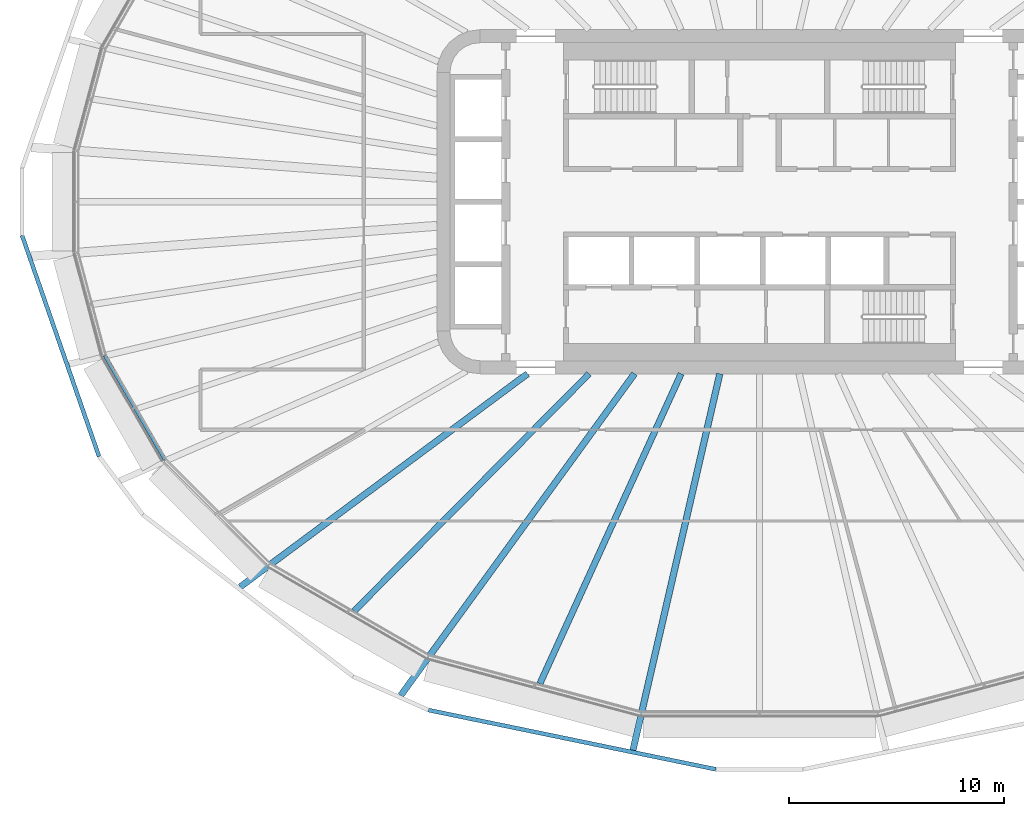
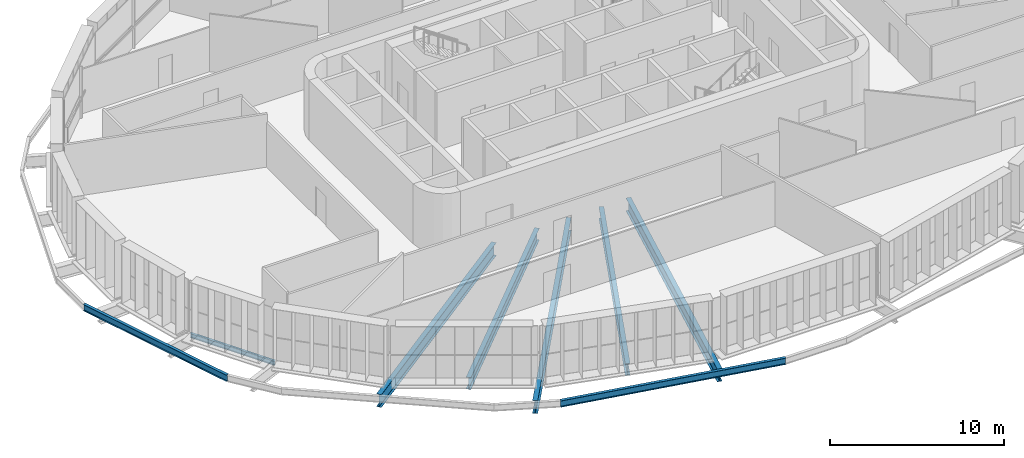
# One storey, part 2 of 24: 8 beams.
"""IFC4 building model written with IfcOpenShell, lengths in metres."""

from ifc_helpers import new_model, si_unit, direction, frame, origin, origin_2d, place, context, subcontext, project, spatial, i_section, extrude, material, material_profile, profile_set, type_object, element, save


model = new_model("IFC4")

# Units and contexts
model_context = context("Model", 3, precision=1e-05, world=origin(), true_north=direction((0.0, 1.0)))
body_context = subcontext(model_context, "Body", "Model", "MODEL_VIEW")
ifc_project = project(units=[si_unit("LENGTHUNIT", "METRE"), si_unit("AREAUNIT", "SQUARE_METRE"), si_unit("VOLUMEUNIT", "CUBIC_METRE"), si_unit("PLANEANGLEUNIT", "RADIAN"), si_unit("MASSUNIT", "GRAM", prefix="KILO")], contexts=[model_context])

# Site, building, storey
site_placement = place(None, origin())
site = spatial("IfcSite", under=ifc_project, at=site_placement, CompositionType="ELEMENT")
building_placement = place(site_placement, origin())
building = spatial("IfcBuilding", under=site, at=building_placement, Name="Sahrelin Media Tower", CompositionType="ELEMENT")
storey_placement = place(building_placement, frame((0.0, 0.0, 118.800048828125)))
storey = spatial("IfcBuildingStorey", under=building, at=storey_placement, Name="L23", CompositionType="ELEMENT", Elevation=118.800048828125)

# Beams
ifc_material = material(Name="Steel S355", Category="steel")
ifc_material_profile_1 = material_profile(ifc_material, i_section(OverallWidth=0.1650390625, OverallDepth=0.303466796875, WebThickness=0.006103515625, FlangeThickness=0.01025390625, FilletRadius=0.0087890625, at=origin_2d()), Name="UB 305x165x40")
ifc_profile_set_1 = profile_set([ifc_material_profile_1], Name="Steel S355")
beam_type_1 = type_object("IfcBeamType", Name="Edge beam EB2", PredefinedType="BEAM", material=ifc_profile_set_1)
beam_1_placement = place(storey_placement, frame((-27.644287109375, -12.000732421875, -0.3017578125), z_axis=(-0.500039387122, 0.866002662425, 0.0), x_axis=(-0.866002662425, -0.500039387122, 0.0)))
element("IfcBeam", 1, at=beam_1_placement, inside=storey, type_object=beam_type_1, Name="Edge beam L23-11", PredefinedType="BEAM", context=body_context, shape_type="SweptSolid", body=[
    extrude(i_section(OverallWidth=0.1650390625, OverallDepth=0.303466796875, WebThickness=0.006103515625, FlangeThickness=0.01025390625, FilletRadius=0.0087890625, at=origin_2d()), origin(), (0.0, 0.0, 1.0), 5.60107421875),
])
ifc_material_profile_2 = material_profile(ifc_material, i_section(OverallWidth=0.30322265625, OverallDepth=0.903076171875, WebThickness=0.01513671875, FlangeThickness=0.020263671875, FilletRadius=0.01904296875, at=origin_2d()), Name="UB 914x305x201")
ifc_profile_set_2 = profile_set([ifc_material_profile_2], Name="Steel S355")
beam_type_2 = type_object("IfcBeamType", Name="Radial primary beam PB11", PredefinedType="BEAM", material=ifc_profile_set_2)
beam_2_placement = place(storey_placement, frame((-10.785888671875, -8.0, -0.6015625), z_axis=(-0.803181335478, -0.59573462409, 0.0), x_axis=(0.59573462409, -0.803181335478, 0.0)))
element("IfcBeam", 2, at=beam_2_placement, inside=storey, type_object=beam_type_2, Name="Radial beam L23-16", PredefinedType="BEAM", context=body_context, shape_type="SweptSolid", body=[
    extrude(i_section(OverallWidth=0.30322265625, OverallDepth=0.903076171875, WebThickness=0.01513671875, FlangeThickness=0.020263671875, FilletRadius=0.01904296875, at=origin_2d()), origin(), (0.0, 0.0, 1.0), 16.645751953125),
])
beam_3_placement = place(storey_placement, frame((-5.813232421875, -8.0, -0.6015625), z_axis=(-0.587841187642, -0.80897635201, 0.0), x_axis=(0.80897635201, -0.587841187642, 0.0)))
element("IfcBeam", 3, at=beam_3_placement, inside=storey, type_object=beam_type_2, Name="Radial beam L23-17", PredefinedType="BEAM", context=body_context, shape_type="SweptSolid", body=[
    extrude(i_section(OverallWidth=0.30322265625, OverallDepth=0.903076171875, WebThickness=0.01513671875, FlangeThickness=0.020263671875, FilletRadius=0.01904296875, at=origin_2d()), origin(), (0.0, 0.0, 1.0), 18.49365234375),
])
beam_4_placement = place(storey_placement, frame((-1.845703125, -8.0, -0.6015625), z_axis=(-0.224782082917, -0.974409059481, 0.0), x_axis=(0.974409059481, -0.224782082917, 0.0)))
element("IfcBeam", 4, at=beam_4_placement, inside=storey, type_object=beam_type_2, Name="Radial beam L23-18", PredefinedType="BEAM", context=body_context, shape_type="SweptSolid", body=[
    extrude(i_section(OverallWidth=0.30322265625, OverallDepth=0.903076171875, WebThickness=0.01513671875, FlangeThickness=0.020263671875, FilletRadius=0.01904296875, at=origin_2d()), origin(), (0.0, 0.0, 1.0), 17.96337890625),
])
ifc_material_profile_3 = material_profile(ifc_material, i_section(OverallWidth=0.291748046875, OverallDepth=0.8349609375, WebThickness=0.013916015625, FlangeThickness=0.018798828125, FilletRadius=0.017822265625, at=origin_2d()), Name="UB 838x292x176")
ifc_profile_set_3 = profile_set([ifc_material_profile_3], Name="Steel S355")
beam_type_3 = type_object("IfcBeamType", Name="Radial secondary beam SB10", PredefinedType="BEAM", material=ifc_profile_set_3)
beam_5_placement = place(storey_placement, frame((-7.922119140625, -8.0, -0.567626953125), z_axis=(-0.703629599275, -0.710566947601, 0.0), x_axis=(0.710566947601, -0.703629599275, 0.0)))
element("IfcBeam", 5, at=beam_5_placement, inside=storey, type_object=beam_type_3, Name="Secondary beam L23-16", PredefinedType="BEAM", context=body_context, shape_type="SweptSolid", body=[
    extrude(i_section(OverallWidth=0.291748046875, OverallDepth=0.8349609375, WebThickness=0.013916015625, FlangeThickness=0.018798828125, FilletRadius=0.017822265625, at=origin_2d()), origin(), (0.0, 0.0, 1.0), 15.519775390625),
])
beam_6_placement = place(storey_placement, frame((-3.6455078125, -8.0, -0.567626953125), z_axis=(-0.41464150741, -0.909984846211, 0.0), x_axis=(0.909984846211, -0.41464150741, 0.0)))
element("IfcBeam", 6, at=beam_6_placement, inside=storey, type_object=beam_type_3, Name="Secondary beam L23-17", PredefinedType="BEAM", context=body_context, shape_type="SweptSolid", body=[
    extrude(i_section(OverallWidth=0.291748046875, OverallDepth=0.8349609375, WebThickness=0.013916015625, FlangeThickness=0.018798828125, FilletRadius=0.017822265625, at=origin_2d()), origin(), (0.0, 0.0, 1.0), 15.833984375),
])
ifc_material_profile_4 = material_profile(ifc_material, i_section(OverallWidth=0.1904296875, OverallDepth=0.45703125, WebThickness=0.009033203125, FlangeThickness=0.014404296875, FilletRadius=0.01025390625, at=origin_2d()), Name="UB 457x191x74")
ifc_profile_set_4 = profile_set([ifc_material_profile_4], Name="Steel S355")
beam_type_4 = type_object("IfcBeamType", Name="Tie chord TC5", PredefinedType="BEAM", material=ifc_profile_set_4)
beam_7_placement = place(storey_placement, frame((-34.294189453125, -1.56103515625, -0.378662109375), z_axis=(0.328796235536, -0.944400887069, 0.0), x_axis=(0.944400887069, 0.328796235536, 0.0)))
element("IfcBeam", 7, at=beam_7_placement, inside=storey, type_object=beam_type_4, Name="Tie chord L23-13", PredefinedType="BEAM", context=body_context, shape_type="SweptSolid", body=[
    extrude(i_section(OverallWidth=0.1904296875, OverallDepth=0.45703125, WebThickness=0.009033203125, FlangeThickness=0.014404296875, FilletRadius=0.01025390625, at=origin_2d()), origin(), (0.0, 0.0, 1.0), 10.890625),
])
beam_8_placement = place(storey_placement, frame((-15.390625, -23.64013671875, -0.378662109375), z_axis=(0.979388276692, -0.20198664183, 0.0), x_axis=(0.20198664183, 0.979388276692, 0.0)))
element("IfcBeam", 8, at=beam_8_placement, inside=storey, type_object=beam_type_4, Name="Tie chord L23-17", PredefinedType="BEAM", context=body_context, shape_type="SweptSolid", body=[
    extrude(i_section(OverallWidth=0.1904296875, OverallDepth=0.45703125, WebThickness=0.009033203125, FlangeThickness=0.014404296875, FilletRadius=0.01025390625, at=origin_2d()), origin(), (0.0, 0.0, 1.0), 13.643798828125),
])

save(model, "model.ifc")
